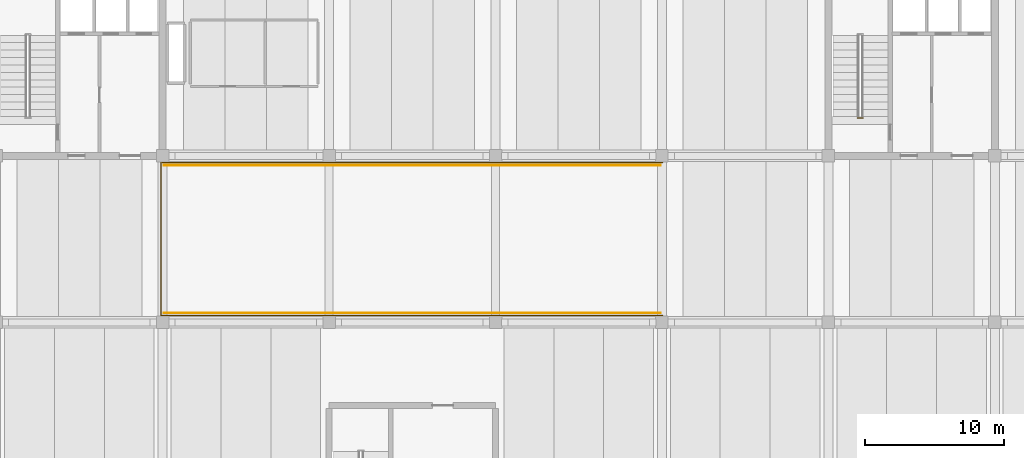
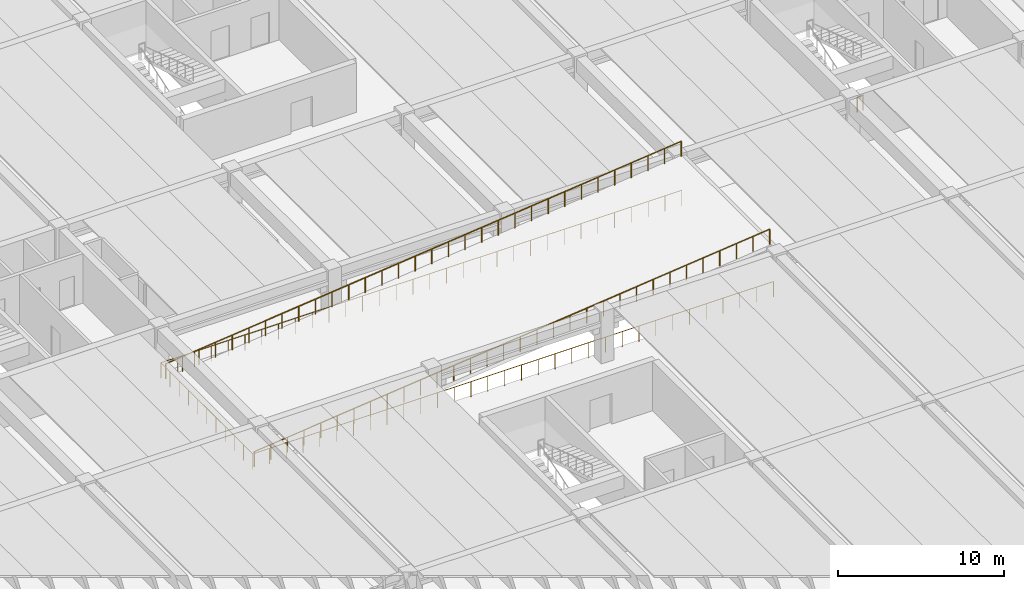
# One storey, part 16 of 19: 4 railings.
"""IFC4 building model written with IfcOpenShell, lengths in metres."""

from ifc_helpers import new_model, si_unit, direction, frame, origin, origin_2d, place, context, subcontext, project, spatial, circle, extrude, material, layer, layer_set, type_object, element, save


model = new_model("IFC4")

# Units and contexts
model_context = context("Model", 3, precision=1e-05, world=origin(), true_north=direction((0.0, 1.0)))
body_context = subcontext(model_context, "Body", "Model", "MODEL_VIEW")
ifc_project = project(units=[si_unit("LENGTHUNIT", "METRE"), si_unit("AREAUNIT", "SQUARE_METRE"), si_unit("VOLUMEUNIT", "CUBIC_METRE"), si_unit("PLANEANGLEUNIT", "RADIAN"), si_unit("MASSUNIT", "GRAM", prefix="KILO")], contexts=[model_context])

# Site, building, storey
site_placement = place(None, origin())
site = spatial("IfcSite", under=ifc_project, at=site_placement, CompositionType="ELEMENT")
building_placement = place(site_placement, origin())
building = spatial("IfcBuilding", under=site, at=building_placement, Name="Girod Span Mobility Hub", CompositionType="ELEMENT")
storey_placement = place(building_placement, frame((0.0, 0.0, 9.60009765625)))
storey = spatial("IfcBuildingStorey", under=building, at=storey_placement, Name="L02", CompositionType="ELEMENT", Elevation=9.60009765625)

# Railings
ifc_material_1 = material(Name="Painted Galvanised Steel", Category="steel")
ifc_layer_1 = layer(ifc_material_1, 0.06494140625)
ifc_layer_set_1 = layer_set([ifc_layer_1], Name="Painted Galvanised Steel")
railing_type_1 = type_object("IfcRailingType", Name="RL-GRD-1120", PredefinedType="GUARDRAIL", material=ifc_layer_set_1)
railing_1_placement = place(storey_placement, frame((60.10009765625, 45.679931640625, 0.0)))
element("IfcRailing", 1, at=railing_1_placement, inside=storey, type_object=railing_type_1, Name="Vehicular Ramp Guardrail L02-S", PredefinedType="GUARDRAIL", context=body_context, shape_type="SweptSolid", body=[
    extrude(circle(Radius=0.02392578125, at=origin_2d()), frame((0.0, 0.0, 1.09619140625), z_axis=(0.994414262125, 0.0, 0.105547502494), x_axis=(0.0, 1.0, 0.0)), (0.0, 0.0, 1.0), 36.0009765625),
    extrude(circle(Radius=0.02099609375, at=origin_2d()), origin(), (0.0, 0.0, 1.0), 1.072021484375),
    extrude(circle(Radius=0.02099609375, at=origin_2d()), frame((1.15478515625, 0.0, 0.12255859375)), (0.0, 0.0, 1.0), 1.072021484375),
    extrude(circle(Radius=0.02099609375, at=origin_2d()), frame((2.3095703125, 0.0, 0.2451171875)), (0.0, 0.0, 1.0), 1.072021484375),
    extrude(circle(Radius=0.02099609375, at=origin_2d()), frame((3.464599609375, 0.0, 0.36767578125)), (0.0, 0.0, 1.0), 1.072021484375),
    extrude(circle(Radius=0.02099609375, at=origin_2d()), frame((4.619384765625, 0.0, 0.490234375)), (0.0, 0.0, 1.0), 1.072021484375),
    extrude(circle(Radius=0.02099609375, at=origin_2d()), frame((5.774169921875, 0.0, 0.61279296875)), (0.0, 0.0, 1.0), 1.072021484375),
    extrude(circle(Radius=0.02099609375, at=origin_2d()), frame((6.928955078125, 0.0, 0.7353515625)), (0.0, 0.0, 1.0), 1.072021484375),
    extrude(circle(Radius=0.02099609375, at=origin_2d()), frame((8.083740234375, 0.0, 0.85791015625)), (0.0, 0.0, 1.0), 1.072021484375),
    extrude(circle(Radius=0.02099609375, at=origin_2d()), frame((9.23876953125, 0.0, 0.980712890625)), (0.0, 0.0, 1.0), 1.072021484375),
    extrude(circle(Radius=0.02099609375, at=origin_2d()), frame((10.3935546875, 0.0, 1.103271484375)), (0.0, 0.0, 1.0), 1.072021484375),
    extrude(circle(Radius=0.02099609375, at=origin_2d()), frame((11.54833984375, 0.0, 1.225830078125)), (0.0, 0.0, 1.0), 1.072021484375),
    extrude(circle(Radius=0.02099609375, at=origin_2d()), frame((12.703125, 0.0, 1.348388671875)), (0.0, 0.0, 1.0), 1.072021484375),
    extrude(circle(Radius=0.02099609375, at=origin_2d()), frame((13.85791015625, 0.0, 1.470947265625)), (0.0, 0.0, 1.0), 1.072021484375),
    extrude(circle(Radius=0.02099609375, at=origin_2d()), frame((15.012939453125, 0.0, 1.593505859375)), (0.0, 0.0, 1.0), 1.072021484375),
    extrude(circle(Radius=0.02099609375, at=origin_2d()), frame((16.167724609375, 0.0, 1.716064453125)), (0.0, 0.0, 1.0), 1.072021484375),
    extrude(circle(Radius=0.02099609375, at=origin_2d()), frame((17.322509765625, 0.0, 1.838623046875)), (0.0, 0.0, 1.0), 1.072021484375),
    extrude(circle(Radius=0.02099609375, at=origin_2d()), frame((18.477294921875, 0.0, 1.961181640625)), (0.0, 0.0, 1.0), 1.072021484375),
    extrude(circle(Radius=0.02099609375, at=origin_2d()), frame((19.632080078125, 0.0, 2.083740234375)), (0.0, 0.0, 1.0), 1.072021484375),
    extrude(circle(Radius=0.02099609375, at=origin_2d()), frame((20.786865234375, 0.0, 2.206298828125)), (0.0, 0.0, 1.0), 1.072021484375),
    extrude(circle(Radius=0.02099609375, at=origin_2d()), frame((21.94189453125, 0.0, 2.328857421875)), (0.0, 0.0, 1.0), 1.072021484375),
    extrude(circle(Radius=0.02099609375, at=origin_2d()), frame((23.0966796875, 0.0, 2.451416015625)), (0.0, 0.0, 1.0), 1.072021484375),
    extrude(circle(Radius=0.02099609375, at=origin_2d()), frame((24.25146484375, 0.0, 2.573974609375)), (0.0, 0.0, 1.0), 1.072021484375),
    extrude(circle(Radius=0.02099609375, at=origin_2d()), frame((25.40625, 0.0, 2.696533203125)), (0.0, 0.0, 1.0), 1.072021484375),
    extrude(circle(Radius=0.02099609375, at=origin_2d()), frame((26.56103515625, 0.0, 2.819091796875)), (0.0, 0.0, 1.0), 1.072021484375),
    extrude(circle(Radius=0.02099609375, at=origin_2d()), frame((27.716064453125, 0.0, 2.94189453125)), (0.0, 0.0, 1.0), 1.072021484375),
    extrude(circle(Radius=0.02099609375, at=origin_2d()), frame((28.870849609375, 0.0, 3.064453125)), (0.0, 0.0, 1.0), 1.072021484375),
    extrude(circle(Radius=0.02099609375, at=origin_2d()), frame((30.025634765625, 0.0, 3.18701171875)), (0.0, 0.0, 1.0), 1.072021484375),
    extrude(circle(Radius=0.02099609375, at=origin_2d()), frame((31.180419921875, 0.0, 3.3095703125)), (0.0, 0.0, 1.0), 1.072021484375),
    extrude(circle(Radius=0.02099609375, at=origin_2d()), frame((32.335205078125, 0.0, 3.43212890625)), (0.0, 0.0, 1.0), 1.072021484375),
    extrude(circle(Radius=0.02099609375, at=origin_2d()), frame((33.490234375, 0.0, 3.5546875)), (0.0, 0.0, 1.0), 1.072021484375),
    extrude(circle(Radius=0.02099609375, at=origin_2d()), frame((34.64501953125, 0.0, 3.67724609375)), (0.0, 0.0, 1.0), 1.072021484375),
    extrude(circle(Radius=0.02099609375, at=origin_2d()), frame((35.7998046875, 0.0, 3.7998046875)), (0.0, 0.0, 1.0), 1.072021484375),
])
railing_2_placement = place(storey_placement, frame((60.10009765625, 56.320068359375, 0.0)))
element("IfcRailing", 2, at=railing_2_placement, inside=storey, type_object=railing_type_1, Name="Vehicular Ramp Guardrail L02-N", PredefinedType="GUARDRAIL", context=body_context, shape_type="SweptSolid", body=[
    extrude(circle(Radius=0.02392578125, at=origin_2d()), frame((0.0, 0.0, 1.09619140625), z_axis=(0.994414262125, 0.0, 0.105547502494), x_axis=(0.0, 1.0, 0.0)), (0.0, 0.0, 1.0), 36.0009765625),
    extrude(circle(Radius=0.02099609375, at=origin_2d()), origin(), (0.0, 0.0, 1.0), 1.072021484375),
    extrude(circle(Radius=0.02099609375, at=origin_2d()), frame((1.15478515625, 0.0, 0.12255859375)), (0.0, 0.0, 1.0), 1.072021484375),
    extrude(circle(Radius=0.02099609375, at=origin_2d()), frame((2.3095703125, 0.0, 0.2451171875)), (0.0, 0.0, 1.0), 1.072021484375),
    extrude(circle(Radius=0.02099609375, at=origin_2d()), frame((3.464599609375, 0.0, 0.36767578125)), (0.0, 0.0, 1.0), 1.072021484375),
    extrude(circle(Radius=0.02099609375, at=origin_2d()), frame((4.619384765625, 0.0, 0.490234375)), (0.0, 0.0, 1.0), 1.072021484375),
    extrude(circle(Radius=0.02099609375, at=origin_2d()), frame((5.774169921875, 0.0, 0.61279296875)), (0.0, 0.0, 1.0), 1.072021484375),
    extrude(circle(Radius=0.02099609375, at=origin_2d()), frame((6.928955078125, 0.0, 0.7353515625)), (0.0, 0.0, 1.0), 1.072021484375),
    extrude(circle(Radius=0.02099609375, at=origin_2d()), frame((8.083740234375, 0.0, 0.85791015625)), (0.0, 0.0, 1.0), 1.072021484375),
    extrude(circle(Radius=0.02099609375, at=origin_2d()), frame((9.23876953125, 0.0, 0.980712890625)), (0.0, 0.0, 1.0), 1.072021484375),
    extrude(circle(Radius=0.02099609375, at=origin_2d()), frame((10.3935546875, 0.0, 1.103271484375)), (0.0, 0.0, 1.0), 1.072021484375),
    extrude(circle(Radius=0.02099609375, at=origin_2d()), frame((11.54833984375, 0.0, 1.225830078125)), (0.0, 0.0, 1.0), 1.072021484375),
    extrude(circle(Radius=0.02099609375, at=origin_2d()), frame((12.703125, 0.0, 1.348388671875)), (0.0, 0.0, 1.0), 1.072021484375),
    extrude(circle(Radius=0.02099609375, at=origin_2d()), frame((13.85791015625, 0.0, 1.470947265625)), (0.0, 0.0, 1.0), 1.072021484375),
    extrude(circle(Radius=0.02099609375, at=origin_2d()), frame((15.012939453125, 0.0, 1.593505859375)), (0.0, 0.0, 1.0), 1.072021484375),
    extrude(circle(Radius=0.02099609375, at=origin_2d()), frame((16.167724609375, 0.0, 1.716064453125)), (0.0, 0.0, 1.0), 1.072021484375),
    extrude(circle(Radius=0.02099609375, at=origin_2d()), frame((17.322509765625, 0.0, 1.838623046875)), (0.0, 0.0, 1.0), 1.072021484375),
    extrude(circle(Radius=0.02099609375, at=origin_2d()), frame((18.477294921875, 0.0, 1.961181640625)), (0.0, 0.0, 1.0), 1.072021484375),
    extrude(circle(Radius=0.02099609375, at=origin_2d()), frame((19.632080078125, 0.0, 2.083740234375)), (0.0, 0.0, 1.0), 1.072021484375),
    extrude(circle(Radius=0.02099609375, at=origin_2d()), frame((20.786865234375, 0.0, 2.206298828125)), (0.0, 0.0, 1.0), 1.072021484375),
    extrude(circle(Radius=0.02099609375, at=origin_2d()), frame((21.94189453125, 0.0, 2.328857421875)), (0.0, 0.0, 1.0), 1.072021484375),
    extrude(circle(Radius=0.02099609375, at=origin_2d()), frame((23.0966796875, 0.0, 2.451416015625)), (0.0, 0.0, 1.0), 1.072021484375),
    extrude(circle(Radius=0.02099609375, at=origin_2d()), frame((24.25146484375, 0.0, 2.573974609375)), (0.0, 0.0, 1.0), 1.072021484375),
    extrude(circle(Radius=0.02099609375, at=origin_2d()), frame((25.40625, 0.0, 2.696533203125)), (0.0, 0.0, 1.0), 1.072021484375),
    extrude(circle(Radius=0.02099609375, at=origin_2d()), frame((26.56103515625, 0.0, 2.819091796875)), (0.0, 0.0, 1.0), 1.072021484375),
    extrude(circle(Radius=0.02099609375, at=origin_2d()), frame((27.716064453125, 0.0, 2.94189453125)), (0.0, 0.0, 1.0), 1.072021484375),
    extrude(circle(Radius=0.02099609375, at=origin_2d()), frame((28.870849609375, 0.0, 3.064453125)), (0.0, 0.0, 1.0), 1.072021484375),
    extrude(circle(Radius=0.02099609375, at=origin_2d()), frame((30.025634765625, 0.0, 3.18701171875)), (0.0, 0.0, 1.0), 1.072021484375),
    extrude(circle(Radius=0.02099609375, at=origin_2d()), frame((31.180419921875, 0.0, 3.3095703125)), (0.0, 0.0, 1.0), 1.072021484375),
    extrude(circle(Radius=0.02099609375, at=origin_2d()), frame((32.335205078125, 0.0, 3.43212890625)), (0.0, 0.0, 1.0), 1.072021484375),
    extrude(circle(Radius=0.02099609375, at=origin_2d()), frame((33.490234375, 0.0, 3.5546875)), (0.0, 0.0, 1.0), 1.072021484375),
    extrude(circle(Radius=0.02099609375, at=origin_2d()), frame((34.64501953125, 0.0, 3.67724609375)), (0.0, 0.0, 1.0), 1.072021484375),
    extrude(circle(Radius=0.02099609375, at=origin_2d()), frame((35.7998046875, 0.0, 3.7998046875)), (0.0, 0.0, 1.0), 1.072021484375),
])
railing_3_placement = place(storey_placement, frame((110.10009765625, 59.72998046875, 0.0)))
element("IfcRailing", 3, at=railing_3_placement, inside=storey, type_object=railing_type_1, Name="Stair ST-2 Landing Well Guard L02", PredefinedType="GUARDRAIL", context=body_context, shape_type="SweptSolid", body=[
    extrude(circle(Radius=0.02392578125, at=origin_2d()), frame((0.0, 0.0, 1.09619140625), z_axis=(1.0, 0.0, 0.0), x_axis=(0.0, 1.0, 0.0)), (0.0, 0.0, 1.0), 0.39990234375),
    extrude(circle(Radius=0.02099609375, at=origin_2d()), origin(), (0.0, 0.0, 1.0), 1.072021484375),
    extrude(circle(Radius=0.02099609375, at=origin_2d()), frame((0.39990234375, 0.0, 0.0)), (0.0, 0.0, 1.0), 1.072021484375),
])
ifc_material_2 = material(Name="Painted Galvanised Steel", Category="steel")
ifc_layer_2 = layer(ifc_material_2, 0.074951171875)
ifc_layer_set_2 = layer_set([ifc_layer_2], Name="Painted Galvanised Steel")
railing_type_2 = type_object("IfcRailingType", Name="RL-GRD-1150", PredefinedType="GUARDRAIL", material=ifc_layer_set_2)
railing_4_placement = place(storey_placement, frame((96.050048828125, 45.47998046875, 0.0)))
element("IfcRailing", 4, at=railing_4_placement, inside=storey, type_object=railing_type_2, Name="Ramp Well Deck Guardrail L02", PredefinedType="GUARDRAIL", context=body_context, shape_type="SweptSolid", body=[
    extrude(circle(Radius=0.02392578125, at=origin_2d()), frame((0.0, 0.0, 1.1259765625), z_axis=(-1.0, 0.0, 0.0), x_axis=(0.0, -1.0, 0.0)), (0.0, 0.0, 1.0), 36.170166015625),
    extrude(circle(Radius=0.02392578125, at=origin_2d()), frame((-36.170166015625, 0.0, 1.1259765625), z_axis=(0.0, 1.0, 0.0), x_axis=(-1.0, 0.0, 0.0)), (0.0, 0.0, 1.0), 11.0400390625),
    extrude(circle(Radius=0.02392578125, at=origin_2d()), frame((-36.170166015625, 11.0400390625, 1.1259765625), z_axis=(1.0, 0.0, 0.0), x_axis=(0.0, 1.0, 0.0)), (0.0, 0.0, 1.0), 36.170166015625),
    extrude(circle(Radius=0.02099609375, at=origin_2d()), origin(), (0.0, 0.0, 1.0), 1.101806640625),
    extrude(circle(Radius=0.02099609375, at=origin_2d()), frame((-1.166748046875, 0.0, 0.0)), (0.0, 0.0, 1.0), 1.101806640625),
    extrude(circle(Radius=0.02099609375, at=origin_2d()), frame((-2.33349609375, 0.0, 0.0)), (0.0, 0.0, 1.0), 1.101806640625),
    extrude(circle(Radius=0.02099609375, at=origin_2d()), frame((-3.500244140625, 0.0, 0.0)), (0.0, 0.0, 1.0), 1.101806640625),
    extrude(circle(Radius=0.02099609375, at=origin_2d()), frame((-4.667236328125, 0.0, 0.0)), (0.0, 0.0, 1.0), 1.101806640625),
    extrude(circle(Radius=0.02099609375, at=origin_2d()), frame((-5.833984375, 0.0, 0.0)), (0.0, 0.0, 1.0), 1.101806640625),
    extrude(circle(Radius=0.02099609375, at=origin_2d()), frame((-7.000732421875, 0.0, 0.0)), (0.0, 0.0, 1.0), 1.101806640625),
    extrude(circle(Radius=0.02099609375, at=origin_2d()), frame((-8.16748046875, 0.0, 0.0)), (0.0, 0.0, 1.0), 1.101806640625),
    extrude(circle(Radius=0.02099609375, at=origin_2d()), frame((-9.334228515625, 0.0, 0.0)), (0.0, 0.0, 1.0), 1.101806640625),
    extrude(circle(Radius=0.02099609375, at=origin_2d()), frame((-10.5009765625, 0.0, 0.0)), (0.0, 0.0, 1.0), 1.101806640625),
    extrude(circle(Radius=0.02099609375, at=origin_2d()), frame((-11.667724609375, 0.0, 0.0)), (0.0, 0.0, 1.0), 1.101806640625),
    extrude(circle(Radius=0.02099609375, at=origin_2d()), frame((-12.83447265625, 0.0, 0.0)), (0.0, 0.0, 1.0), 1.101806640625),
    extrude(circle(Radius=0.02099609375, at=origin_2d()), frame((-14.00146484375, 0.0, 0.0)), (0.0, 0.0, 1.0), 1.101806640625),
    extrude(circle(Radius=0.02099609375, at=origin_2d()), frame((-15.168212890625, 0.0, 0.0)), (0.0, 0.0, 1.0), 1.101806640625),
    extrude(circle(Radius=0.02099609375, at=origin_2d()), frame((-16.3349609375, 0.0, 0.0)), (0.0, 0.0, 1.0), 1.101806640625),
    extrude(circle(Radius=0.02099609375, at=origin_2d()), frame((-17.501708984375, 0.0, 0.0)), (0.0, 0.0, 1.0), 1.101806640625),
    extrude(circle(Radius=0.02099609375, at=origin_2d()), frame((-18.66845703125, 0.0, 0.0)), (0.0, 0.0, 1.0), 1.101806640625),
    extrude(circle(Radius=0.02099609375, at=origin_2d()), frame((-19.835205078125, 0.0, 0.0)), (0.0, 0.0, 1.0), 1.101806640625),
    extrude(circle(Radius=0.02099609375, at=origin_2d()), frame((-21.001953125, 0.0, 0.0)), (0.0, 0.0, 1.0), 1.101806640625),
    extrude(circle(Radius=0.02099609375, at=origin_2d()), frame((-22.168701171875, 0.0, 0.0)), (0.0, 0.0, 1.0), 1.101806640625),
    extrude(circle(Radius=0.02099609375, at=origin_2d()), frame((-23.335693359375, 0.0, 0.0)), (0.0, 0.0, 1.0), 1.101806640625),
    extrude(circle(Radius=0.02099609375, at=origin_2d()), frame((-24.50244140625, 0.0, 0.0)), (0.0, 0.0, 1.0), 1.101806640625),
    extrude(circle(Radius=0.02099609375, at=origin_2d()), frame((-25.669189453125, 0.0, 0.0)), (0.0, 0.0, 1.0), 1.101806640625),
    extrude(circle(Radius=0.02099609375, at=origin_2d()), frame((-26.8359375, 0.0, 0.0)), (0.0, 0.0, 1.0), 1.101806640625),
    extrude(circle(Radius=0.02099609375, at=origin_2d()), frame((-28.002685546875, 0.0, 0.0)), (0.0, 0.0, 1.0), 1.101806640625),
    extrude(circle(Radius=0.02099609375, at=origin_2d()), frame((-29.16943359375, 0.0, 0.0)), (0.0, 0.0, 1.0), 1.101806640625),
    extrude(circle(Radius=0.02099609375, at=origin_2d()), frame((-30.336181640625, 0.0, 0.0)), (0.0, 0.0, 1.0), 1.101806640625),
    extrude(circle(Radius=0.02099609375, at=origin_2d()), frame((-31.5029296875, 0.0, 0.0)), (0.0, 0.0, 1.0), 1.101806640625),
    extrude(circle(Radius=0.02099609375, at=origin_2d()), frame((-32.669921875, 0.0, 0.0)), (0.0, 0.0, 1.0), 1.101806640625),
    extrude(circle(Radius=0.02099609375, at=origin_2d()), frame((-33.836669921875, 0.0, 0.0)), (0.0, 0.0, 1.0), 1.101806640625),
    extrude(circle(Radius=0.02099609375, at=origin_2d()), frame((-35.00341796875, 0.0, 0.0)), (0.0, 0.0, 1.0), 1.101806640625),
    extrude(circle(Radius=0.02099609375, at=origin_2d()), frame((-36.170166015625, 0.0, 0.0)), (0.0, 0.0, 1.0), 1.101806640625),
    extrude(circle(Radius=0.02099609375, at=origin_2d()), frame((-36.170166015625, 1.10400390625, 0.0)), (0.0, 0.0, 1.0), 1.101806640625),
    extrude(circle(Radius=0.02099609375, at=origin_2d()), frame((-36.170166015625, 2.2080078125, 0.0)), (0.0, 0.0, 1.0), 1.101806640625),
    extrude(circle(Radius=0.02099609375, at=origin_2d()), frame((-36.170166015625, 3.31201171875, 0.0)), (0.0, 0.0, 1.0), 1.101806640625),
    extrude(circle(Radius=0.02099609375, at=origin_2d()), frame((-36.170166015625, 4.416015625, 0.0)), (0.0, 0.0, 1.0), 1.101806640625),
    extrude(circle(Radius=0.02099609375, at=origin_2d()), frame((-36.170166015625, 5.52001953125, 0.0)), (0.0, 0.0, 1.0), 1.101806640625),
    extrude(circle(Radius=0.02099609375, at=origin_2d()), frame((-36.170166015625, 6.6240234375, 0.0)), (0.0, 0.0, 1.0), 1.101806640625),
    extrude(circle(Radius=0.02099609375, at=origin_2d()), frame((-36.170166015625, 7.72802734375, 0.0)), (0.0, 0.0, 1.0), 1.101806640625),
    extrude(circle(Radius=0.02099609375, at=origin_2d()), frame((-36.170166015625, 8.83203125, 0.0)), (0.0, 0.0, 1.0), 1.101806640625),
    extrude(circle(Radius=0.02099609375, at=origin_2d()), frame((-36.170166015625, 9.93603515625, 0.0)), (0.0, 0.0, 1.0), 1.101806640625),
    extrude(circle(Radius=0.02099609375, at=origin_2d()), frame((-36.170166015625, 11.0400390625, 0.0)), (0.0, 0.0, 1.0), 1.101806640625),
    extrude(circle(Radius=0.02099609375, at=origin_2d()), frame((-35.00341796875, 11.0400390625, 0.0)), (0.0, 0.0, 1.0), 1.101806640625),
    extrude(circle(Radius=0.02099609375, at=origin_2d()), frame((-33.836669921875, 11.0400390625, 0.0)), (0.0, 0.0, 1.0), 1.101806640625),
    extrude(circle(Radius=0.02099609375, at=origin_2d()), frame((-32.669921875, 11.0400390625, 0.0)), (0.0, 0.0, 1.0), 1.101806640625),
    extrude(circle(Radius=0.02099609375, at=origin_2d()), frame((-31.5029296875, 11.0400390625, 0.0)), (0.0, 0.0, 1.0), 1.101806640625),
    extrude(circle(Radius=0.02099609375, at=origin_2d()), frame((-30.336181640625, 11.0400390625, 0.0)), (0.0, 0.0, 1.0), 1.101806640625),
    extrude(circle(Radius=0.02099609375, at=origin_2d()), frame((-29.16943359375, 11.0400390625, 0.0)), (0.0, 0.0, 1.0), 1.101806640625),
    extrude(circle(Radius=0.02099609375, at=origin_2d()), frame((-28.002685546875, 11.0400390625, 0.0)), (0.0, 0.0, 1.0), 1.101806640625),
    extrude(circle(Radius=0.02099609375, at=origin_2d()), frame((-26.8359375, 11.0400390625, 0.0)), (0.0, 0.0, 1.0), 1.101806640625),
    extrude(circle(Radius=0.02099609375, at=origin_2d()), frame((-25.669189453125, 11.0400390625, 0.0)), (0.0, 0.0, 1.0), 1.101806640625),
    extrude(circle(Radius=0.02099609375, at=origin_2d()), frame((-24.50244140625, 11.0400390625, 0.0)), (0.0, 0.0, 1.0), 1.101806640625),
    extrude(circle(Radius=0.02099609375, at=origin_2d()), frame((-23.335693359375, 11.0400390625, 0.0)), (0.0, 0.0, 1.0), 1.101806640625),
    extrude(circle(Radius=0.02099609375, at=origin_2d()), frame((-22.168701171875, 11.0400390625, 0.0)), (0.0, 0.0, 1.0), 1.101806640625),
    extrude(circle(Radius=0.02099609375, at=origin_2d()), frame((-21.001953125, 11.0400390625, 0.0)), (0.0, 0.0, 1.0), 1.101806640625),
    extrude(circle(Radius=0.02099609375, at=origin_2d()), frame((-19.835205078125, 11.0400390625, 0.0)), (0.0, 0.0, 1.0), 1.101806640625),
    extrude(circle(Radius=0.02099609375, at=origin_2d()), frame((-18.66845703125, 11.0400390625, 0.0)), (0.0, 0.0, 1.0), 1.101806640625),
    extrude(circle(Radius=0.02099609375, at=origin_2d()), frame((-17.501708984375, 11.0400390625, 0.0)), (0.0, 0.0, 1.0), 1.101806640625),
    extrude(circle(Radius=0.02099609375, at=origin_2d()), frame((-16.3349609375, 11.0400390625, 0.0)), (0.0, 0.0, 1.0), 1.101806640625),
    extrude(circle(Radius=0.02099609375, at=origin_2d()), frame((-15.168212890625, 11.0400390625, 0.0)), (0.0, 0.0, 1.0), 1.101806640625),
    extrude(circle(Radius=0.02099609375, at=origin_2d()), frame((-14.00146484375, 11.0400390625, 0.0)), (0.0, 0.0, 1.0), 1.101806640625),
    extrude(circle(Radius=0.02099609375, at=origin_2d()), frame((-12.83447265625, 11.0400390625, 0.0)), (0.0, 0.0, 1.0), 1.101806640625),
    extrude(circle(Radius=0.02099609375, at=origin_2d()), frame((-11.667724609375, 11.0400390625, 0.0)), (0.0, 0.0, 1.0), 1.101806640625),
    extrude(circle(Radius=0.02099609375, at=origin_2d()), frame((-10.5009765625, 11.0400390625, 0.0)), (0.0, 0.0, 1.0), 1.101806640625),
    extrude(circle(Radius=0.02099609375, at=origin_2d()), frame((-9.334228515625, 11.0400390625, 0.0)), (0.0, 0.0, 1.0), 1.101806640625),
    extrude(circle(Radius=0.02099609375, at=origin_2d()), frame((-8.16748046875, 11.0400390625, 0.0)), (0.0, 0.0, 1.0), 1.101806640625),
    extrude(circle(Radius=0.02099609375, at=origin_2d()), frame((-7.000732421875, 11.0400390625, 0.0)), (0.0, 0.0, 1.0), 1.101806640625),
    extrude(circle(Radius=0.02099609375, at=origin_2d()), frame((-5.833984375, 11.0400390625, 0.0)), (0.0, 0.0, 1.0), 1.101806640625),
    extrude(circle(Radius=0.02099609375, at=origin_2d()), frame((-4.667236328125, 11.0400390625, 0.0)), (0.0, 0.0, 1.0), 1.101806640625),
    extrude(circle(Radius=0.02099609375, at=origin_2d()), frame((-3.500244140625, 11.0400390625, 0.0)), (0.0, 0.0, 1.0), 1.101806640625),
    extrude(circle(Radius=0.02099609375, at=origin_2d()), frame((-2.33349609375, 11.0400390625, 0.0)), (0.0, 0.0, 1.0), 1.101806640625),
    extrude(circle(Radius=0.02099609375, at=origin_2d()), frame((-1.166748046875, 11.0400390625, 0.0)), (0.0, 0.0, 1.0), 1.101806640625),
    extrude(circle(Radius=0.02099609375, at=origin_2d()), frame((0.0, 11.0400390625, 0.0)), (0.0, 0.0, 1.0), 1.101806640625),
])

save(model, "model.ifc")
